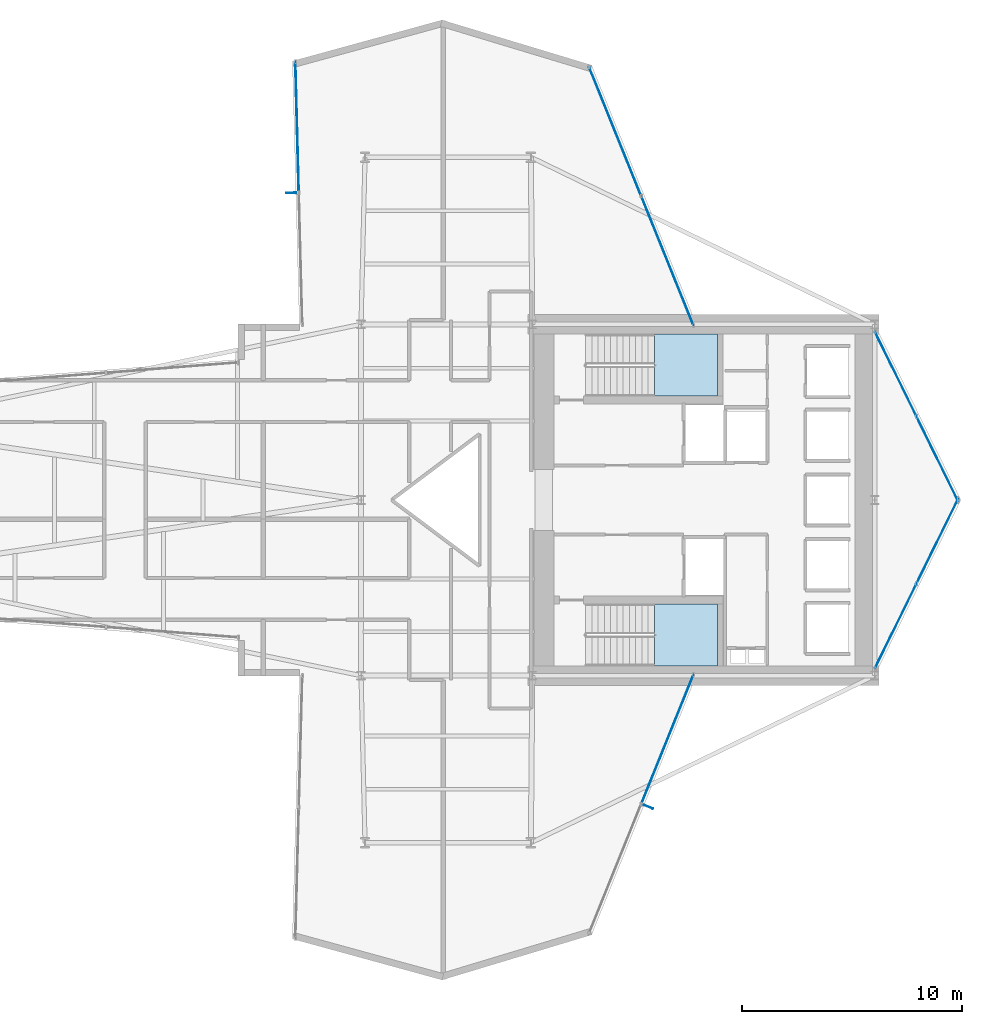
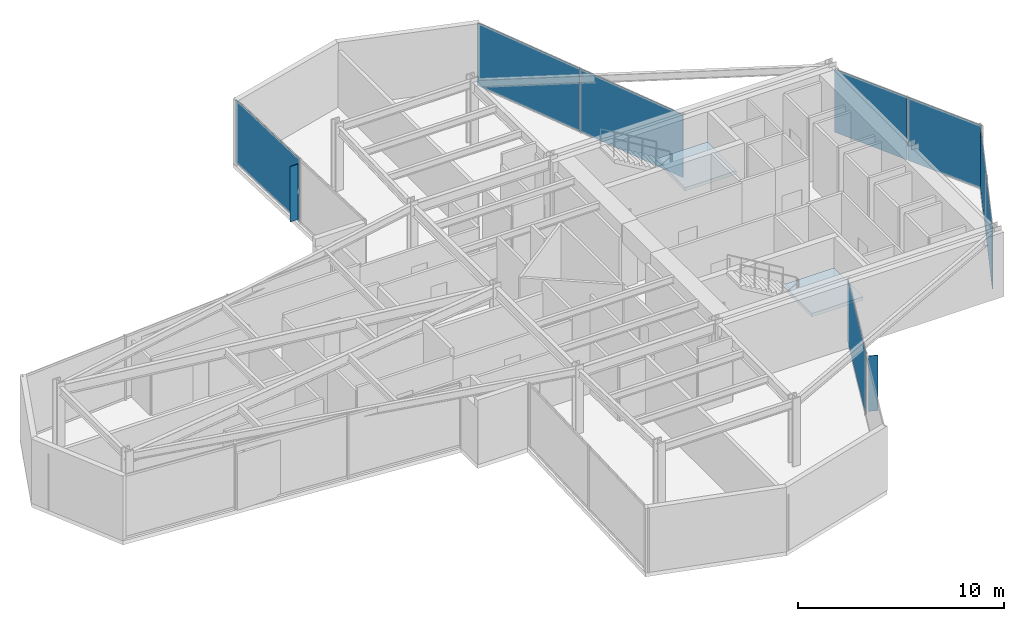
# One storey, part 25 of 29: 10 plates, 2 slabs, 7 elements without a shape of their own.
"""IFC4 building model written with IfcOpenShell, lengths in metres."""

from ifc_helpers import new_model, si_unit, direction, frame, origin, origin_2d, place, context, subcontext, project, spatial, polyline, rectangle, outline, extrude, material, layer, layer_set, type_object, element, aggregate, save


model = new_model("IFC4")

# Units and contexts
model_context = context("Model", 3, precision=1e-05, world=origin(), true_north=direction((0.0, 1.0)))
body_context = subcontext(model_context, "Body", "Model", "MODEL_VIEW")
ifc_project = project(units=[si_unit("LENGTHUNIT", "METRE"), si_unit("AREAUNIT", "SQUARE_METRE"), si_unit("VOLUMEUNIT", "CUBIC_METRE"), si_unit("PLANEANGLEUNIT", "RADIAN"), si_unit("MASSUNIT", "GRAM", prefix="KILO")], contexts=[model_context])

# Site, building, storey
site_placement = place(None, origin())
site = spatial("IfcSite", under=ifc_project, at=site_placement, CompositionType="ELEMENT")
building_placement = place(site_placement, origin())
building = spatial("IfcBuilding", under=site, at=building_placement, Name="Veymaron Broadcast Tower", CompositionType="ELEMENT")
storey_placement = place(building_placement, frame((0.0, 0.0, 62.10009765625)))
storey = spatial("IfcBuildingStorey", under=building, at=storey_placement, Name="L13", CompositionType="ELEMENT", Elevation=62.10009765625)

# Curtain wall, plates
ifc_material_1 = material(Name="Anodised aluminium AA 6063-T6 and laminated low-E dark glass", Category="aluminium")
ifc_layer_1 = layer(ifc_material_1, 0.179931640625)
ifc_layer_set_1 = layer_set([ifc_layer_1], Name="Anodised aluminium AA 6063-T6 and laminated low-E dark glass")
curtain_wall_type = type_object("IfcCurtainWallType", Name="CW-SYS-02", PredefinedType="NOTDEFINED", material=ifc_layer_set_1)
curtain_wall_1_placement = place(storey_placement, origin())
curtain_wall_1 = element("IfcCurtainWall", 1, at=curtain_wall_1_placement, inside=storey, type_object=curtain_wall_type, Name="L13 dark-glass curtain wall CW-L13-E2-1", PredefinedType="NOTDEFINED")
ifc_material_2 = material(Name="Double-silver solar-control dark glass IGU 32 mm", Category="glass")
ifc_layer_2 = layer(ifc_material_2, 0.031982421875)
ifc_layer_set_2 = layer_set([ifc_layer_2], Name="Double-silver solar-control dark glass IGU 32 mm")
plate_type_1 = type_object("IfcPlateType", Name="CW-PNL-02", PredefinedType="CURTAIN_PANEL", material=ifc_layer_set_2)
plate_1_placement = place(storey_placement, frame((55.55029296875, 18.25390625, 0.039794921875), z_axis=(0.0, 0.0, 1.0), x_axis=(0.440644343304, 0.897681771406, 0.0)))
plate_1 = element("IfcPlate", 2, at=plate_1_placement, type_object=plate_type_1, Name="CW-L13-E2-1 unitised curtain panel 0", PredefinedType="CURTAIN_PANEL", context=body_context, shape_type="SweptSolid", body=[
    extrude(rectangle(XDim=4.253173828125, YDim=0.031982421875, at=origin_2d()), origin(), (0.0, 0.0, 1.0), 3.72998046875),
])
plate_2_placement = place(storey_placement, frame((57.450927734375, 22.125732421875, 0.039794921875), z_axis=(0.0, 0.0, 1.0), x_axis=(0.440644343304, 0.897681771406, 0.0)))
plate_2 = element("IfcPlate", 3, at=plate_2_placement, type_object=plate_type_1, Name="CW-L13-E2-1 unitised curtain panel 1", PredefinedType="CURTAIN_PANEL", context=body_context, shape_type="SweptSolid", body=[
    extrude(rectangle(XDim=4.253173828125, YDim=0.031982421875, at=origin_2d()), origin(), (0.0, 0.0, 1.0), 3.72998046875),
])
aggregate(curtain_wall_1, [plate_1, plate_2])

curtain_wall_2_placement = place(storey_placement, origin())
curtain_wall_2 = element("IfcCurtainWall", 4, at=curtain_wall_2_placement, inside=storey, type_object=curtain_wall_type, Name="L13 dark-glass curtain wall CW-L13-E3-1", PredefinedType="NOTDEFINED")
plate_3_placement = place(storey_placement, frame((57.450927734375, 25.874267578125, 0.039794921875), z_axis=(0.0, 0.0, 1.0), x_axis=(-0.440644343304, 0.897681771406, 0.0)))
plate_3 = element("IfcPlate", 5, at=plate_3_placement, type_object=plate_type_1, Name="CW-L13-E3-1 unitised curtain panel 0", PredefinedType="CURTAIN_PANEL", context=body_context, shape_type="SweptSolid", body=[
    extrude(rectangle(XDim=4.253173828125, YDim=0.031982421875, at=origin_2d()), origin(), (0.0, 0.0, 1.0), 3.72998046875),
])
plate_4_placement = place(storey_placement, frame((55.55029296875, 29.74609375, 0.039794921875), z_axis=(0.0, 0.0, 1.0), x_axis=(-0.440644343304, 0.897681771406, 0.0)))
plate_4 = element("IfcPlate", 6, at=plate_4_placement, type_object=plate_type_1, Name="CW-L13-E3-1 unitised curtain panel 1", PredefinedType="CURTAIN_PANEL", context=body_context, shape_type="SweptSolid", body=[
    extrude(rectangle(XDim=4.253173828125, YDim=0.031982421875, at=origin_2d()), origin(), (0.0, 0.0, 1.0), 3.72998046875),
])
aggregate(curtain_wall_2, [plate_3, plate_4])

curtain_wall_3_placement = place(storey_placement, origin())
curtain_wall_3 = element("IfcCurtainWall", 7, at=curtain_wall_3_placement, inside=storey, type_object=curtain_wall_type, Name="L13 dark-glass curtain wall CW-L13-E5-1", PredefinedType="NOTDEFINED")
plate_5_placement = place(storey_placement, frame((45.1552734375, 34.89599609375, 0.039794921875), z_axis=(0.0, 0.0, 1.0), x_axis=(-0.374703685828, 0.927144620772, 0.0)))
plate_5 = element("IfcPlate", 8, at=plate_5_placement, type_object=plate_type_1, Name="CW-L13-E5-1 unitised curtain panel 0", PredefinedType="CURTAIN_PANEL", context=body_context, shape_type="SweptSolid", body=[
    extrude(rectangle(XDim=6.30029296875, YDim=0.031982421875, at=origin_2d()), origin(), (0.0, 0.0, 1.0), 3.72998046875),
])
plate_6_placement = place(storey_placement, frame((42.77197265625, 40.79296875, 0.039794921875), z_axis=(0.0, 0.0, 1.0), x_axis=(-0.374703685828, 0.927144620772, 0.0)))
plate_6 = element("IfcPlate", 9, at=plate_6_placement, type_object=plate_type_1, Name="CW-L13-E5-1 unitised curtain panel 1", PredefinedType="CURTAIN_PANEL", context=body_context, shape_type="SweptSolid", body=[
    extrude(rectangle(XDim=6.30029296875, YDim=0.031982421875, at=origin_2d()), origin(), (0.0, 0.0, 1.0), 3.72998046875),
])
aggregate(curtain_wall_3, [plate_5, plate_6])

# Curtain wall, plate
curtain_wall_4_placement = place(storey_placement, origin())
curtain_wall_4 = element("IfcCurtainWall", 10, at=curtain_wall_4_placement, inside=storey, type_object=curtain_wall_type, Name="L13 dark-glass curtain wall CW-L13-E8-1", PredefinedType="NOTDEFINED")
plate_7_placement = place(storey_placement, frame((28.29052734375, 40.989501953125, 0.039794921875), z_axis=(0.0, 0.0, 1.0), x_axis=(0.026299079294, -0.999654119397, 0.0)))
plate_7 = element("IfcPlate", 11, at=plate_7_placement, type_object=plate_type_1, Name="CW-L13-E8-1 unitised curtain panel 0", PredefinedType="CURTAIN_PANEL", context=body_context, shape_type="SweptSolid", body=[
    extrude(rectangle(XDim=5.9326171875, YDim=0.031982421875, at=origin_2d()), origin(), (0.0, 0.0, 1.0), 3.72998046875),
])
aggregate(curtain_wall_4, [plate_7])

curtain_wall_5_placement = place(storey_placement, origin())
curtain_wall_5 = element("IfcCurtainWall", 12, at=curtain_wall_5_placement, inside=storey, type_object=curtain_wall_type, Name="L13 dark-glass curtain wall CW-L13-E20-1", PredefinedType="NOTDEFINED")
plate_8_placement = place(storey_placement, frame((45.1552734375, 13.10400390625, 0.039794921875), z_axis=(0.0, 0.0, 1.0), x_axis=(0.374703685828, 0.927144620772, 0.0)))
plate_8 = element("IfcPlate", 13, at=plate_8_placement, type_object=plate_type_1, Name="CW-L13-E20-1 unitised curtain panel 1", PredefinedType="CURTAIN_PANEL", context=body_context, shape_type="SweptSolid", body=[
    extrude(rectangle(XDim=6.30029296875, YDim=0.031982421875, at=origin_2d()), origin(), (0.0, 0.0, 1.0), 3.72998046875),
])
aggregate(curtain_wall_5, [plate_8])

# Plates
ifc_material_3 = material(Name="Dark-anodised aluminium AA 6061-T6", Category="aluminium")
ifc_layer_3 = layer(ifc_material_3, 0.034912109375)
ifc_layer_set_3 = layer_set([ifc_layer_3], Name="Dark-anodised aluminium AA 6061-T6")
plate_type_2 = type_object("IfcPlateType", Name="FIN-CHEV-01", PredefinedType="USERDEFINED", material=ifc_layer_set_3)
for number, where, z_axis, x_axis, name in (
    (14, (28.014404296875, 37.98486328125, 0.2666015625), (0.0, 0.0, 1.0), (-0.999654119397, -0.026299079294, 0.0), "CW-L13-E8-1 chevron fin 1"),
    (15, (44.292724609375, 10.0224609375, 0.2666015625), (0.0, 0.0, 1.0), (0.927144620772, -0.374703685828, 0.0), "CW-L13-E20-1 chevron fin 1"),
):
    element("IfcPlate", number, at=place(storey_placement, frame(where, z_axis=z_axis, x_axis=x_axis)), inside=storey, type_object=plate_type_2, Name=name, ObjectType="FIN", PredefinedType="USERDEFINED", context=body_context, shape_type="SweptSolid", body=[
        extrude(rectangle(XDim=0.449951171875, YDim=0.034912109375, at=origin_2d()), origin(), (0.0, 0.0, 1.0), 3.276611328125),
    ])

# Stair, slab
ifc_material_4 = material(Name="Concrete C50/60", Category="concrete")
stair_type_1 = type_object("IfcStairType", Name="STAIR-CORE-1", PredefinedType="HALF_TURN_STAIR", material=ifc_material_4)
stair_1_placement = place(storey_placement, origin())
stair_1 = element("IfcStair", 16, at=stair_1_placement, inside=storey, type_object=stair_type_1, Name="L13 North protected dog-leg exit stair ST1", PredefinedType="HALF_TURN_STAIR")
ifc_layer_4 = layer(ifc_material_4, 0.199951171875)
ifc_layer_set_4 = layer_set([ifc_layer_4], Name="Concrete C50/60")
slab_type = type_object("IfcSlabType", Name="SLAB-STAIR-LDG", PredefinedType="LANDING", material=ifc_layer_set_4)
slab_1_placement = place(storey_placement, frame((0.0, 0.0, 1.824951171875)))
slab_1 = element("IfcSlab", 17, at=slab_1_placement, type_object=slab_type, Name="ST1 landing 1", PredefinedType="LANDING", context=body_context, shape_type="SweptSolid", body=[
    extrude(outline(polyline([(44.56494140625, 28.72998046875), (47.43994140625, 28.72998046875), (47.43994140625, 31.550048828125), (44.56494140625, 31.550048828125), (44.56494140625, 28.72998046875)])), origin(), (0.0, 0.0, 1.0), 0.199951171875),
])
aggregate(stair_1, [slab_1])

stair_type_2 = type_object("IfcStairType", Name="STAIR-CORE-2", PredefinedType="HALF_TURN_STAIR", material=ifc_material_4)
stair_2_placement = place(storey_placement, origin())
stair_2 = element("IfcStair", 18, at=stair_2_placement, inside=storey, type_object=stair_type_2, Name="L13 South protected dog-leg exit stair ST2", PredefinedType="HALF_TURN_STAIR")
slab_2_placement = place(storey_placement, frame((0.0, 0.0, 1.824951171875)))
slab_2 = element("IfcSlab", 19, at=slab_2_placement, type_object=slab_type, Name="ST2 landing 1", PredefinedType="LANDING", context=body_context, shape_type="SweptSolid", body=[
    extrude(outline(polyline([(44.56494140625, 16.449951171875), (47.43994140625, 16.449951171875), (47.43994140625, 19.27001953125), (44.56494140625, 19.27001953125), (44.56494140625, 16.449951171875)])), origin(), (0.0, 0.0, 1.0), 0.199951171875),
])
aggregate(stair_2, [slab_2])

save(model, "model.ifc")
